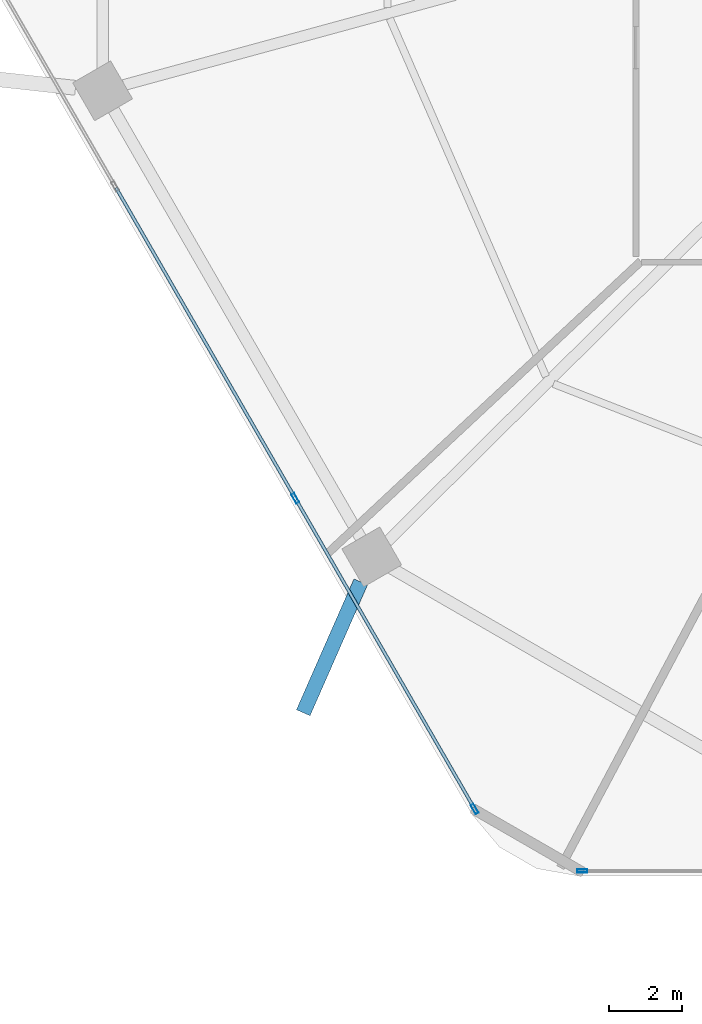
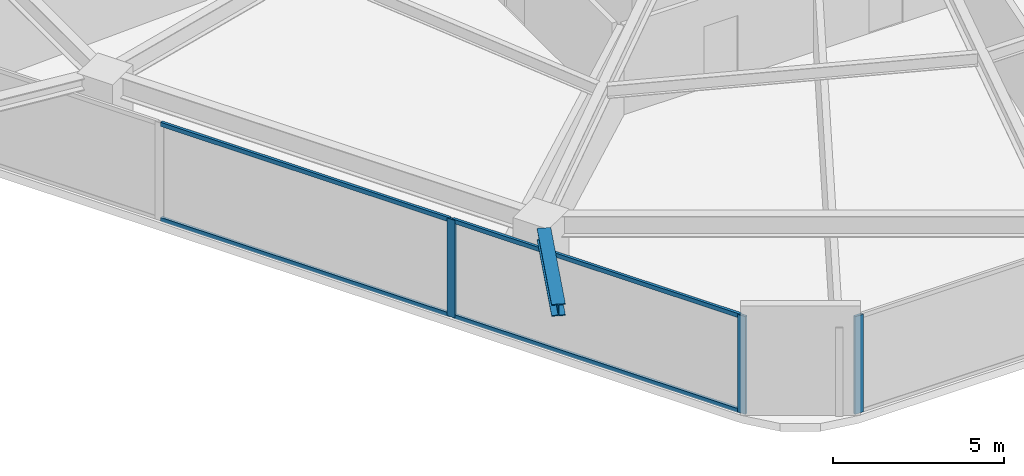
# One storey, part 2 of 25: 7 members, 1 beam, 2 elements without a shape of their own.
"""IFC4 building model written with IfcOpenShell, lengths in metres."""

from ifc_helpers import new_model, si_unit, direction, frame, origin, origin_2d, place, context, subcontext, project, spatial, hollow_rectangle, i_section, extrude, material, material_profile, profile_set, type_object, element, aggregate, save


model = new_model("IFC4")

# Units and contexts
model_context = context("Model", 3, precision=1e-05, world=origin(), true_north=direction((0.0, 1.0)))
body_context = subcontext(model_context, "Body", "Model", "MODEL_VIEW")
ifc_project = project(units=[si_unit("LENGTHUNIT", "METRE"), si_unit("AREAUNIT", "SQUARE_METRE"), si_unit("VOLUMEUNIT", "CUBIC_METRE"), si_unit("PLANEANGLEUNIT", "RADIAN"), si_unit("MASSUNIT", "GRAM", prefix="KILO")], contexts=[model_context])

# Site, building, storey
site_placement = place(None, origin())
site = spatial("IfcSite", under=ifc_project, at=site_placement, CompositionType="ELEMENT")
building_placement = place(site_placement, origin())
building = spatial("IfcBuilding", under=site, at=building_placement, Name="Zuhravey Tower", CompositionType="ELEMENT")
storey_placement = place(building_placement, frame((0.0, 0.0, 37.199951171875)))
storey = spatial("IfcBuildingStorey", under=building, at=storey_placement, Name="L09", CompositionType="ELEMENT", Elevation=37.199951171875)

# Curtain wall, member
ifc_material_1 = material(Name="Thermally broken anodised aluminium", Category="aluminium")
curtain_wall_type = type_object("IfcCurtainWallType", Name="School Low-E Unitised Curtain Wall CW1", PredefinedType="NOTDEFINED", material=ifc_material_1)
curtain_wall_1_placement = place(storey_placement, origin())
curtain_wall_1 = element("IfcCurtainWall", 1, at=curtain_wall_1_placement, inside=storey, type_object=curtain_wall_type, Name="L09 CW1 CW-L09-F5-1", PredefinedType="NOTDEFINED")
ifc_material_2 = material(Name="Anodised aluminium", Category="aluminium")
ifc_material_profile_1 = material_profile(ifc_material_2, hollow_rectangle(XDim=0.090087890625, YDim=0.284912109375, WallThickness=0.0048828125, at=origin_2d()), Name="ALU-RHS-90x285x5")
ifc_profile_set_1 = profile_set([ifc_material_profile_1], Name="Anodised aluminium")
member_type_1 = type_object("IfcMemberType", Name="Curtain-Wall Mullion 90x180", PredefinedType="MULLION", material=ifc_profile_set_1)
member_1_placement = place(storey_placement, frame((21.24560546875, 3.04150390625, 0.0), z_axis=(0.0, 0.0, 1.0), x_axis=(0.0, -1.0, 0.0)))
member_1 = element("IfcMember", 2, at=member_1_placement, type_object=member_type_1, Name="CW1 mullion 4", PredefinedType="MULLION", context=body_context, shape_type="SweptSolid", body=[
    extrude(hollow_rectangle(XDim=0.090087890625, YDim=0.284912109375, WallThickness=0.0048828125, at=origin_2d()), origin(), (0.0, 0.0, 1.0), 3.491943359375),
])
aggregate(curtain_wall_1, [member_1])

# Curtain wall, members
curtain_wall_2_placement = place(storey_placement, origin())
curtain_wall_2 = element("IfcCurtainWall", 3, at=curtain_wall_2_placement, inside=storey, type_object=curtain_wall_type, Name="L09 CW1 CW-L09-F4-1", PredefinedType="NOTDEFINED")
member_2_placement = place(storey_placement, frame((18.298583984375, 4.742919921875, 0.0), z_axis=(0.0, 0.0, 1.0), x_axis=(-0.86602552265, -0.499999794119, 0.0)))
member_2 = element("IfcMember", 4, at=member_2_placement, type_object=member_type_1, Name="CW1 mullion 1", PredefinedType="MULLION", context=body_context, shape_type="SweptSolid", body=[
    extrude(hollow_rectangle(XDim=0.090087890625, YDim=0.284912109375, WallThickness=0.0048828125, at=origin_2d()), origin(), (0.0, 0.0, 1.0), 3.491943359375),
])
member_3_placement = place(storey_placement, frame((13.387939453125, 13.24853515625, 0.0), z_axis=(0.0, 0.0, 1.0), x_axis=(-0.86602552265, -0.499999794119, 0.0)))
member_3 = element("IfcMember", 5, at=member_3_placement, type_object=member_type_1, Name="CW1 mullion 2", PredefinedType="MULLION", context=body_context, shape_type="SweptSolid", body=[
    extrude(hollow_rectangle(XDim=0.090087890625, YDim=0.284912109375, WallThickness=0.0048828125, at=origin_2d()), origin(), (0.0, 0.0, 1.0), 3.491943359375),
])
ifc_material_profile_2 = material_profile(ifc_material_2, hollow_rectangle(XDim=0.090087890625, YDim=0.14990234375, WallThickness=0.0048828125, at=origin_2d()), Name="ALU-RHS-90x150x5")
ifc_profile_set_2 = profile_set([ifc_material_profile_2], Name="Anodised aluminium")
member_type_2 = type_object("IfcMemberType", Name="Curtain-Wall Transom 90x150", PredefinedType="USERDEFINED", material=ifc_profile_set_2)
member_4_placement = place(storey_placement, frame((18.27587890625, 4.781982421875, 0.045166015625), z_axis=(-0.499989576763, 0.86603142156, 0.0), x_axis=(-0.86603142156, -0.499989576763, 0.0)))
member_4 = element("IfcMember", 6, at=member_4_placement, type_object=member_type_2, Name="CW1 transom 1.1", ObjectType="TRANSOM", PredefinedType="USERDEFINED", context=body_context, shape_type="SweptSolid", body=[
    extrude(hollow_rectangle(XDim=0.090087890625, YDim=0.14990234375, WallThickness=0.0048828125, at=origin_2d()), origin(), (0.0, 0.0, 1.0), 9.731201171875),
])
member_5_placement = place(storey_placement, frame((18.27587890625, 4.781982421875, 3.447021484375), z_axis=(-0.499989576763, 0.86603142156, 0.0), x_axis=(-0.86603142156, -0.499989576763, 0.0)))
member_5 = element("IfcMember", 7, at=member_5_placement, type_object=member_type_2, Name="CW1 transom 1.2", ObjectType="TRANSOM", PredefinedType="USERDEFINED", context=body_context, shape_type="SweptSolid", body=[
    extrude(hollow_rectangle(XDim=0.090087890625, YDim=0.14990234375, WallThickness=0.0048828125, at=origin_2d()), origin(), (0.0, 0.0, 1.0), 9.731201171875),
])
member_6_placement = place(storey_placement, frame((13.365234375, 13.287353515625, 0.045166015625), z_axis=(-0.499990498062, 0.866030889661, 0.0), x_axis=(-0.866030889661, -0.499990498062, 0.0)))
member_6 = element("IfcMember", 8, at=member_6_placement, type_object=member_type_2, Name="CW1 transom 2.1", ObjectType="TRANSOM", PredefinedType="USERDEFINED", context=body_context, shape_type="SweptSolid", body=[
    extrude(hollow_rectangle(XDim=0.090087890625, YDim=0.14990234375, WallThickness=0.0048828125, at=origin_2d()), origin(), (0.0, 0.0, 1.0), 9.776611328125),
])
member_7_placement = place(storey_placement, frame((13.365234375, 13.287353515625, 3.447021484375), z_axis=(-0.499990498062, 0.866030889661, 0.0), x_axis=(-0.866030889661, -0.499990498062, 0.0)))
member_7 = element("IfcMember", 9, at=member_7_placement, type_object=member_type_2, Name="CW1 transom 2.2", ObjectType="TRANSOM", PredefinedType="USERDEFINED", context=body_context, shape_type="SweptSolid", body=[
    extrude(hollow_rectangle(XDim=0.090087890625, YDim=0.14990234375, WallThickness=0.0048828125, at=origin_2d()), origin(), (0.0, 0.0, 1.0), 9.776611328125),
])
aggregate(curtain_wall_2, [member_2, member_3, member_4, member_5, member_6, member_7])

# Beam
ifc_material_3 = material(Name="Steel SM460", Category="steel")
ifc_material_profile_3 = material_profile(ifc_material_3, i_section(OverallWidth=0.406982421875, OverallDepth=0.427978515625, WebThickness=0.02001953125, FlangeThickness=0.034912109375, at=origin_2d()), Name="H-428x407x20x35")
ifc_profile_set_3 = profile_set([ifc_material_profile_3], Name="Steel SM460")
beam_type = type_object("IfcBeamType", Name="Exoskeleton Node Tie Beam H428x407", PredefinedType="BEAM", material=ifc_profile_set_3)
beam_placement = place(storey_placement, frame((15.179931640625, 10.9580078125, 3.7060546875), z_axis=(-0.402366403128, -0.915478715009, 0.0), x_axis=(0.915478715009, -0.402366403128, 0.0)))
element("IfcBeam", 10, at=beam_placement, inside=storey, type_object=beam_type, Name="L09 Exoskeleton Node Tie NT1-08", PredefinedType="BEAM", context=body_context, shape_type="SweptSolid", body=[
    extrude(i_section(OverallWidth=0.406982421875, OverallDepth=0.427978515625, WebThickness=0.02001953125, FlangeThickness=0.034912109375, at=origin_2d()), origin(), (0.0, 0.0, 1.0), 3.9130859375),
])

save(model, "model.ifc")
